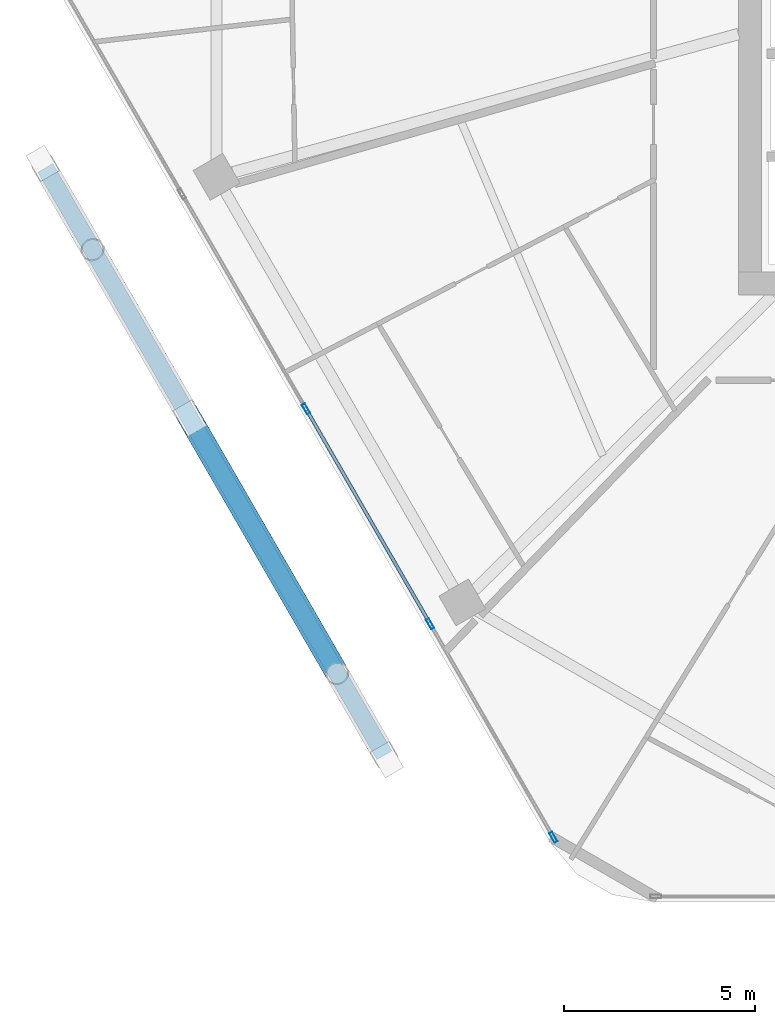
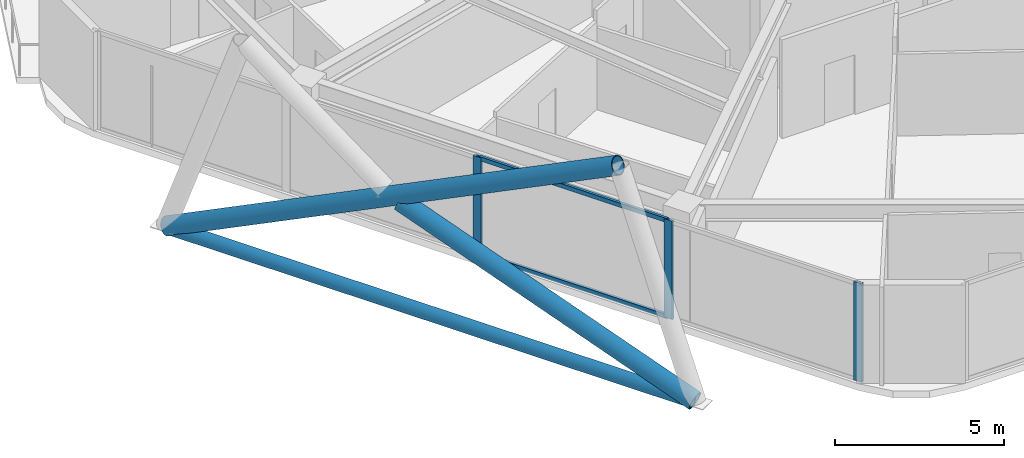
# One storey, part 2 of 29: 8 members, 1 element without a shape of its own.
"""IFC4 building model written with IfcOpenShell, lengths in metres."""

from ifc_helpers import new_model, si_unit, direction, frame, origin, origin_2d, place, context, subcontext, project, spatial, hollow_rectangle, hollow_circle, extrude, material, material_profile, profile_set, type_object, element, aggregate, save


model = new_model("IFC4")

# Units and contexts
model_context = context("Model", 3, precision=1e-05, world=origin(), true_north=direction((0.0, 1.0)))
body_context = subcontext(model_context, "Body", "Model", "MODEL_VIEW")
ifc_project = project(units=[si_unit("LENGTHUNIT", "METRE"), si_unit("AREAUNIT", "SQUARE_METRE"), si_unit("VOLUMEUNIT", "CUBIC_METRE"), si_unit("PLANEANGLEUNIT", "RADIAN"), si_unit("MASSUNIT", "GRAM", prefix="KILO")], contexts=[model_context])

# Site, building, storey
site_placement = place(None, origin())
site = spatial("IfcSite", under=ifc_project, at=site_placement, CompositionType="ELEMENT")
building_placement = place(site_placement, origin())
building = spatial("IfcBuilding", under=site, at=building_placement, Name="Zuhravey Tower", CompositionType="ELEMENT")
storey_placement = place(building_placement, frame((0.0, 0.0, 246.39990234375)))
storey = spatial("IfcBuildingStorey", under=building, at=storey_placement, Name="L62", CompositionType="ELEMENT", Elevation=246.39990234375)

# Curtain wall, members
ifc_material_1 = material(Name="Thermally broken anodised aluminium", Category="aluminium")
curtain_wall_type = type_object("IfcCurtainWallType", Name="Zone 3-4 High-Rise Curtain Wall CW4", PredefinedType="NOTDEFINED", material=ifc_material_1)
curtain_wall_placement = place(storey_placement, origin())
curtain_wall = element("IfcCurtainWall", 1, at=curtain_wall_placement, inside=storey, type_object=curtain_wall_type, Name="L62 CW4 CW-L62-F4-1", PredefinedType="NOTDEFINED")
ifc_material_2 = material(Name="Anodised aluminium", Category="aluminium")
ifc_material_profile_1 = material_profile(ifc_material_2, hollow_rectangle(XDim=0.090087890625, YDim=0.284912109375, WallThickness=0.0048828125, at=origin_2d()), Name="ALU-RHS-90x285x5")
ifc_profile_set_1 = profile_set([ifc_material_profile_1], Name="Anodised aluminium")
member_type_1 = type_object("IfcMemberType", Name="Curtain-Wall Mullion 90x180", PredefinedType="MULLION", material=ifc_profile_set_1)
member_1_placement = place(storey_placement, frame((20.34521484375, 7.98779296875, 0.0), z_axis=(0.0, 0.0, 1.0), x_axis=(-0.866024851021, -0.500000957414, 0.0)))
member_1 = element("IfcMember", 2, at=member_1_placement, type_object=member_type_1, Name="CW4 mullion 1", PredefinedType="MULLION", context=body_context, shape_type="SweptSolid", body=[
    extrude(hollow_rectangle(XDim=0.090087890625, YDim=0.284912109375, WallThickness=0.0048828125, at=origin_2d()), origin(), (0.0, 0.0, 1.0), 3.550048828125),
])
member_2_placement = place(storey_placement, frame((17.114501953125, 13.58349609375, 0.0), z_axis=(0.0, 0.0, 1.0), x_axis=(-0.866024851021, -0.500000957414, 0.0)))
member_2 = element("IfcMember", 3, at=member_2_placement, type_object=member_type_1, Name="CW4 mullion 2", PredefinedType="MULLION", context=body_context, shape_type="SweptSolid", body=[
    extrude(hollow_rectangle(XDim=0.090087890625, YDim=0.284912109375, WallThickness=0.0048828125, at=origin_2d()), origin(), (0.0, 0.0, 1.0), 3.550048828125),
])
member_3_placement = place(storey_placement, frame((13.861328125, 19.21826171875, 0.0), z_axis=(0.0, 0.0, 1.0), x_axis=(-0.866024851021, -0.500000957414, 0.0)))
member_3 = element("IfcMember", 4, at=member_3_placement, type_object=member_type_1, Name="CW4 mullion 3", PredefinedType="MULLION", context=body_context, shape_type="SweptSolid", body=[
    extrude(hollow_rectangle(XDim=0.090087890625, YDim=0.284912109375, WallThickness=0.0048828125, at=origin_2d()), origin(), (0.0, 0.0, 1.0), 3.550048828125),
])
ifc_material_profile_2 = material_profile(ifc_material_2, hollow_rectangle(XDim=0.090087890625, YDim=0.14990234375, WallThickness=0.0048828125, at=origin_2d()), Name="ALU-RHS-90x150x5")
ifc_profile_set_2 = profile_set([ifc_material_profile_2], Name="Anodised aluminium")
member_type_2 = type_object("IfcMemberType", Name="Curtain-Wall Transom 90x150", PredefinedType="USERDEFINED", material=ifc_profile_set_2)
member_4_placement = place(storey_placement, frame((17.092041015625, 13.62255859375, 0.045166015625), z_axis=(-0.500014493347, 0.866017035885, 0.0), x_axis=(-0.866017035885, -0.500014493347, 0.0)))
member_4 = element("IfcMember", 5, at=member_4_placement, type_object=member_type_2, Name="CW4 transom 2.1", ObjectType="TRANSOM", PredefinedType="USERDEFINED", context=body_context, shape_type="SweptSolid", body=[
    extrude(hollow_rectangle(XDim=0.090087890625, YDim=0.14990234375, WallThickness=0.0048828125, at=origin_2d()), origin(), (0.0, 0.0, 1.0), 6.416259765625),
])
member_5_placement = place(storey_placement, frame((17.092041015625, 13.62255859375, 3.505126953125), z_axis=(-0.500014493347, 0.866017035885, 0.0), x_axis=(-0.866017035885, -0.500014493347, 0.0)))
member_5 = element("IfcMember", 6, at=member_5_placement, type_object=member_type_2, Name="CW4 transom 2.2", ObjectType="TRANSOM", PredefinedType="USERDEFINED", context=body_context, shape_type="SweptSolid", body=[
    extrude(hollow_rectangle(XDim=0.090087890625, YDim=0.14990234375, WallThickness=0.0048828125, at=origin_2d()), origin(), (0.0, 0.0, 1.0), 6.416259765625),
])
aggregate(curtain_wall, [member_1, member_2, member_3, member_4, member_5])

# Members
ifc_material_3 = material(Name="Steel SM355", Category="steel")
ifc_material_profile_3 = material_profile(ifc_material_3, hollow_circle(Radius=0.228515625, WallThickness=0.02197265625, at=origin_2d()), Name="CHS-457.2x22")
ifc_profile_set_3 = profile_set([ifc_material_profile_3], Name="Steel SM355")
member_type_3 = type_object("IfcMemberType", Name="Exoskeleton Ring Tie CHS457x22", PredefinedType="CHORD", material=ifc_profile_set_3)
member_6_placement = place(storey_placement, frame((7.026611328125, 25.536376953125, -0.4638671875), z_axis=(0.499995467921, -0.866028020366, 0.0), x_axis=(0.866028020366, 0.499995467921, 0.0)))
element("IfcMember", 7, at=member_6_placement, inside=storey, type_object=member_type_3, Name="L62 Exoskeleton Face 4 Tie EXR1", PredefinedType="CHORD", context=body_context, shape_type="SweptSolid", body=[
    extrude(hollow_circle(Radius=0.228515625, WallThickness=0.02197265625, at=origin_2d()), origin(), (0.0, 0.0, 1.0), 17.778076171875),
])
ifc_material_profile_4 = material_profile(ifc_material_3, hollow_circle(Radius=0.3046875, WallThickness=0.028076171875, at=origin_2d()), Name="CHS-609.6x28")
ifc_profile_set_4 = profile_set([ifc_material_profile_4], Name="Steel SM355")
member_type_4 = type_object("IfcMemberType", Name="Exoskeleton Zone 3 Diagrid CHS610x28", PredefinedType="BRACE", material=ifc_profile_set_4)
member_7_placement = place(storey_placement, frame((6.974853515625, 25.625732421875, -0.44580078125), z_axis=(0.44858715889, -0.776961798354, 0.441701171357), x_axis=(0.866021515814, 0.500006734102, 0.0)))
element("IfcMember", 8, at=member_7_placement, inside=storey, type_object=member_type_4, Name="L62 Face 4 Diagrid Brace 2", PredefinedType="BRACE", context=body_context, shape_type="SweptSolid", body=[
    extrude(hollow_circle(Radius=0.3046875, WallThickness=0.028076171875, at=origin_2d()), origin(), (0.0, 0.0, 1.0), 17.12451171875),
])
member_8_placement = place(storey_placement, frame((15.96630859375, 10.052001953125, -0.449951171875), z_axis=(-0.469306285882, 0.812862261066, 0.344973266451), x_axis=(-0.866025385035, -0.500000032475, 0.0)))
element("IfcMember", 9, at=member_8_placement, inside=storey, type_object=member_type_4, Name="L62 Face 4 Split Diagrid Brace 3A", PredefinedType="BRACE", context=body_context, shape_type="SweptSolid", body=[
    extrude(hollow_circle(Radius=0.3046875, WallThickness=0.028076171875, at=origin_2d()), origin(), (0.0, 0.0, 1.0), 10.679931640625),
])

save(model, "model.ifc")
